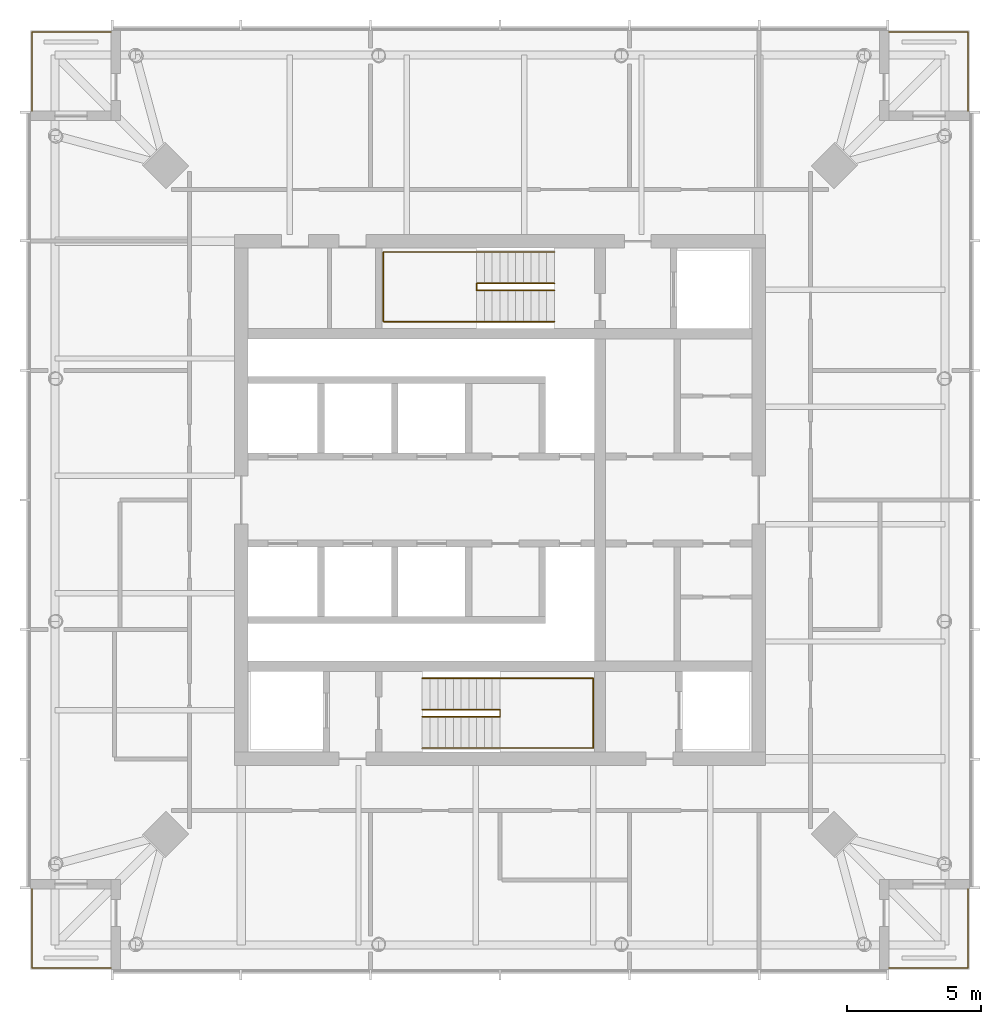
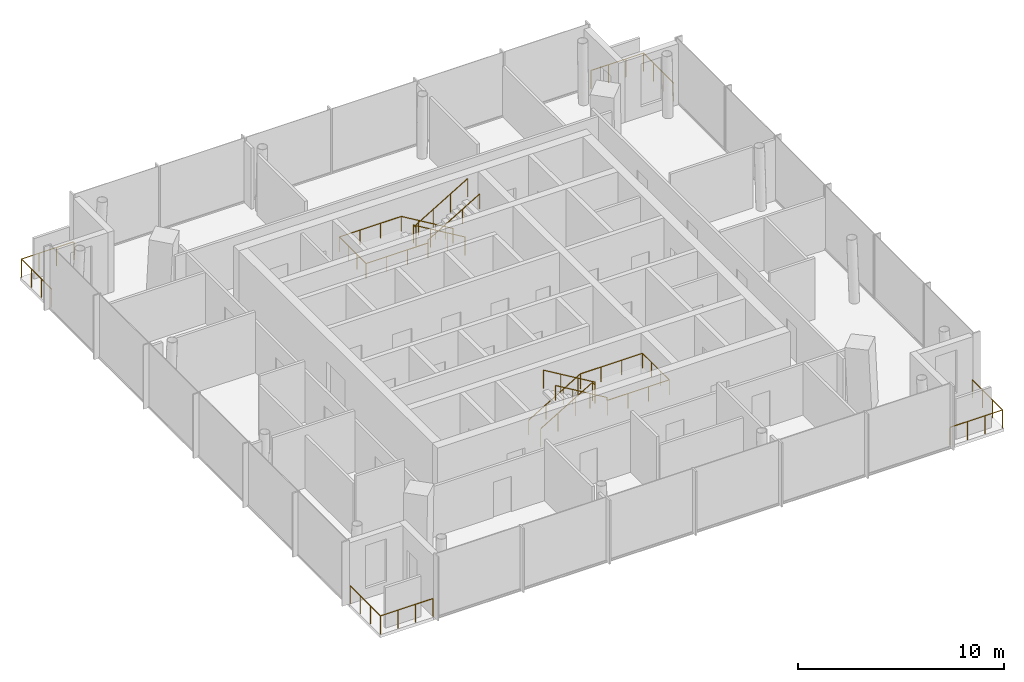
# One storey, part 7 of 7: 8 railings.
"""IFC4 building model written with IfcOpenShell, lengths in metres."""

from ifc_helpers import new_model, si_unit, direction, frame, origin, origin_2d, place, context, subcontext, project, spatial, circle, extrude, material, type_object, element, save


model = new_model("IFC4")

# Units and contexts
model_context = context("Model", 3, precision=1e-05, world=origin(), true_north=direction((0.0, 1.0)))
body_context = subcontext(model_context, "Body", "Model", "MODEL_VIEW")
ifc_project = project(units=[si_unit("LENGTHUNIT", "METRE"), si_unit("AREAUNIT", "SQUARE_METRE"), si_unit("VOLUMEUNIT", "CUBIC_METRE"), si_unit("PLANEANGLEUNIT", "RADIAN"), si_unit("MASSUNIT", "GRAM", prefix="KILO")], contexts=[model_context])

# Site, building, storey
site_placement = place(None, origin())
site = spatial("IfcSite", under=ifc_project, at=site_placement, CompositionType="ELEMENT")
building_placement = place(site_placement, origin())
building = spatial("IfcBuilding", under=site, at=building_placement, Name="Ostroluk Exchange", CompositionType="ELEMENT")
storey_placement = place(building_placement, frame((0.0, 0.0, 252.800048828125)))
storey = spatial("IfcBuildingStorey", under=building, at=storey_placement, Name="L65", CompositionType="ELEMENT", Elevation=252.800048828125)

# Railings
ifc_material_1 = material(Name="Stainless steel", Category="steel")
railing_type_1 = type_object("IfcRailingType", Name="Guard 1100 stainless steel", PredefinedType="GUARDRAIL", material=ifc_material_1)
railing_1_placement = place(storey_placement, frame((59.5, 28.550048828125, 0.0)))
element("IfcRailing", 1, at=railing_1_placement, inside=storey, type_object=railing_type_1, Name="Office tower SE balcony guard L65", PredefinedType="GUARDRAIL", context=body_context, shape_type="SweptSolid", body=[
    extrude(circle(Radius=0.02392578125, at=origin_2d()), frame((0.0, 0.0, 1.076171875), z_axis=(1.0, 0.0, 0.0), x_axis=(0.0, 1.0, 0.0)), (0.0, 0.0, 1.0), 2.949951171875),
    extrude(circle(Radius=0.02392578125, at=origin_2d()), frame((2.949951171875, 0.0, 1.076171875), z_axis=(0.0, 1.0, 0.0), x_axis=(-1.0, 0.0, 0.0)), (0.0, 0.0, 1.0), 2.949951171875),
    extrude(circle(Radius=0.02099609375, at=origin_2d()), origin(), (0.0, 0.0, 1.0), 1.052001953125),
    extrude(circle(Radius=0.02099609375, at=origin_2d()), frame((0.9833984375, 0.0, 0.0)), (0.0, 0.0, 1.0), 1.052001953125),
    extrude(circle(Radius=0.02099609375, at=origin_2d()), frame((1.966552734375, 0.0, 0.0)), (0.0, 0.0, 1.0), 1.052001953125),
    extrude(circle(Radius=0.02099609375, at=origin_2d()), frame((2.949951171875, 0.0, 0.0)), (0.0, 0.0, 1.0), 1.052001953125),
    extrude(circle(Radius=0.02099609375, at=origin_2d()), frame((2.949951171875, 0.9833984375, 0.0)), (0.0, 0.0, 1.0), 1.052001953125),
    extrude(circle(Radius=0.02099609375, at=origin_2d()), frame((2.949951171875, 1.966552734375, 0.0)), (0.0, 0.0, 1.0), 1.052001953125),
    extrude(circle(Radius=0.02099609375, at=origin_2d()), frame((2.949951171875, 2.949951171875, 0.0)), (0.0, 0.0, 1.0), 1.052001953125),
])
railing_2_placement = place(storey_placement, frame((59.5, 63.449951171875, 0.0)))
element("IfcRailing", 2, at=railing_2_placement, inside=storey, type_object=railing_type_1, Name="Office tower NE balcony guard L65", PredefinedType="GUARDRAIL", context=body_context, shape_type="SweptSolid", body=[
    extrude(circle(Radius=0.02392578125, at=origin_2d()), frame((0.0, 0.0, 1.076171875), z_axis=(1.0, 0.0, 0.0), x_axis=(0.0, 1.0, 0.0)), (0.0, 0.0, 1.0), 2.949951171875),
    extrude(circle(Radius=0.02392578125, at=origin_2d()), frame((2.949951171875, 0.0, 1.076171875), z_axis=(0.0, -1.0, 0.0), x_axis=(1.0, 0.0, 0.0)), (0.0, 0.0, 1.0), 2.949951171875),
    extrude(circle(Radius=0.02099609375, at=origin_2d()), origin(), (0.0, 0.0, 1.0), 1.052001953125),
    extrude(circle(Radius=0.02099609375, at=origin_2d()), frame((0.9833984375, 0.0, 0.0)), (0.0, 0.0, 1.0), 1.052001953125),
    extrude(circle(Radius=0.02099609375, at=origin_2d()), frame((1.966552734375, 0.0, 0.0)), (0.0, 0.0, 1.0), 1.052001953125),
    extrude(circle(Radius=0.02099609375, at=origin_2d()), frame((2.949951171875, 0.0, 0.0)), (0.0, 0.0, 1.0), 1.052001953125),
    extrude(circle(Radius=0.02099609375, at=origin_2d()), frame((2.949951171875, -0.9833984375, 0.0)), (0.0, 0.0, 1.0), 1.052001953125),
    extrude(circle(Radius=0.02099609375, at=origin_2d()), frame((2.949951171875, -1.966552734375, 0.0)), (0.0, 0.0, 1.0), 1.052001953125),
    extrude(circle(Radius=0.02099609375, at=origin_2d()), frame((2.949951171875, -2.949951171875, 0.0)), (0.0, 0.0, 1.0), 1.052001953125),
])
railing_3_placement = place(storey_placement, frame((30.5, 63.449951171875, 0.0)))
element("IfcRailing", 3, at=railing_3_placement, inside=storey, type_object=railing_type_1, Name="Office tower NW balcony guard L65", PredefinedType="GUARDRAIL", context=body_context, shape_type="SweptSolid", body=[
    extrude(circle(Radius=0.02392578125, at=origin_2d()), frame((0.0, 0.0, 1.076171875), z_axis=(-1.0, 0.0, 0.0), x_axis=(0.0, -1.0, 0.0)), (0.0, 0.0, 1.0), 2.949951171875),
    extrude(circle(Radius=0.02392578125, at=origin_2d()), frame((-2.949951171875, 0.0, 1.076171875), z_axis=(0.0, -1.0, 0.0), x_axis=(1.0, 0.0, 0.0)), (0.0, 0.0, 1.0), 2.949951171875),
    extrude(circle(Radius=0.02099609375, at=origin_2d()), origin(), (0.0, 0.0, 1.0), 1.052001953125),
    extrude(circle(Radius=0.02099609375, at=origin_2d()), frame((-0.9833984375, 0.0, 0.0)), (0.0, 0.0, 1.0), 1.052001953125),
    extrude(circle(Radius=0.02099609375, at=origin_2d()), frame((-1.966552734375, 0.0, 0.0)), (0.0, 0.0, 1.0), 1.052001953125),
    extrude(circle(Radius=0.02099609375, at=origin_2d()), frame((-2.949951171875, 0.0, 0.0)), (0.0, 0.0, 1.0), 1.052001953125),
    extrude(circle(Radius=0.02099609375, at=origin_2d()), frame((-2.949951171875, -0.9833984375, 0.0)), (0.0, 0.0, 1.0), 1.052001953125),
    extrude(circle(Radius=0.02099609375, at=origin_2d()), frame((-2.949951171875, -1.966552734375, 0.0)), (0.0, 0.0, 1.0), 1.052001953125),
    extrude(circle(Radius=0.02099609375, at=origin_2d()), frame((-2.949951171875, -2.949951171875, 0.0)), (0.0, 0.0, 1.0), 1.052001953125),
])
railing_4_placement = place(storey_placement, frame((30.5, 28.550048828125, 0.0)))
element("IfcRailing", 4, at=railing_4_placement, inside=storey, type_object=railing_type_1, Name="Office tower SW balcony guard L65", PredefinedType="GUARDRAIL", context=body_context, shape_type="SweptSolid", body=[
    extrude(circle(Radius=0.02392578125, at=origin_2d()), frame((0.0, 0.0, 1.076171875), z_axis=(-1.0, 0.0, 0.0), x_axis=(0.0, -1.0, 0.0)), (0.0, 0.0, 1.0), 2.949951171875),
    extrude(circle(Radius=0.02392578125, at=origin_2d()), frame((-2.949951171875, 0.0, 1.076171875), z_axis=(0.0, 1.0, 0.0), x_axis=(-1.0, 0.0, 0.0)), (0.0, 0.0, 1.0), 2.949951171875),
    extrude(circle(Radius=0.02099609375, at=origin_2d()), origin(), (0.0, 0.0, 1.0), 1.052001953125),
    extrude(circle(Radius=0.02099609375, at=origin_2d()), frame((-0.9833984375, 0.0, 0.0)), (0.0, 0.0, 1.0), 1.052001953125),
    extrude(circle(Radius=0.02099609375, at=origin_2d()), frame((-1.966552734375, 0.0, 0.0)), (0.0, 0.0, 1.0), 1.052001953125),
    extrude(circle(Radius=0.02099609375, at=origin_2d()), frame((-2.949951171875, 0.0, 0.0)), (0.0, 0.0, 1.0), 1.052001953125),
    extrude(circle(Radius=0.02099609375, at=origin_2d()), frame((-2.949951171875, 0.9833984375, 0.0)), (0.0, 0.0, 1.0), 1.052001953125),
    extrude(circle(Radius=0.02099609375, at=origin_2d()), frame((-2.949951171875, 1.966552734375, 0.0)), (0.0, 0.0, 1.0), 1.052001953125),
    extrude(circle(Radius=0.02099609375, at=origin_2d()), frame((-2.949951171875, 2.949951171875, 0.0)), (0.0, 0.0, 1.0), 1.052001953125),
])
ifc_material_2 = material(Name="Steel S355", Category="steel")
railing_type_2 = type_object("IfcRailingType", Name="Stair guard 1100", PredefinedType="GUARDRAIL", material=ifc_material_2)
railing_5_placement = place(storey_placement, frame((42.10009765625, 38.179931640625, 0.172607421875)))
element("IfcRailing", 5, at=railing_5_placement, inside=storey, type_object=railing_type_2, Name="Stair T1-S1 guard L65", PredefinedType="GUARDRAIL", context=body_context, shape_type="SweptSolid", body=[
    extrude(circle(Radius=0.02392578125, at=origin_2d()), frame((0.0, 0.0, 1.076171875), z_axis=(0.859141464434, 0.0, 0.511738159696), x_axis=(0.0, 1.0, 0.0)), (0.0, 0.0, 1.0), 3.375244140625),
    extrude(circle(Radius=0.02392578125, at=origin_2d()), frame((2.89990234375, 0.0, 2.80322265625), z_axis=(0.0, -1.0, 0.0), x_axis=(1.0, 0.0, 0.0)), (0.0, 0.0, 1.0), 0.260009765625),
    extrude(circle(Radius=0.02392578125, at=origin_2d()), frame((2.89990234375, -0.260009765625, 2.80322265625), z_axis=(0.0, 0.0, 1.0), x_axis=(1.0, 0.0, 0.0)), (0.0, 0.0, 1.0), 0.1728515625),
    extrude(circle(Radius=0.02392578125, at=origin_2d()), frame((2.89990234375, -0.260009765625, 2.97607421875), z_axis=(-0.859141464434, 0.0, 0.511738159696), x_axis=(0.0, -1.0, 0.0)), (0.0, 0.0, 1.0), 3.375244140625),
    extrude(circle(Radius=0.02099609375, at=origin_2d()), origin(), (0.0, 0.0, 1.0), 1.052001953125),
    extrude(circle(Radius=0.02099609375, at=origin_2d()), frame((0.966552734375, 0.0, 0.57568359375)), (0.0, 0.0, 1.0), 1.052001953125),
    extrude(circle(Radius=0.02099609375, at=origin_2d()), frame((1.933349609375, 0.0, 1.151611328125)), (0.0, 0.0, 1.0), 1.052001953125),
    extrude(circle(Radius=0.02099609375, at=origin_2d()), frame((2.89990234375, 0.0, 1.727294921875)), (0.0, 0.0, 1.0), 1.052001953125),
    extrude(circle(Radius=0.02099609375, at=origin_2d()), frame((2.89990234375, -0.260009765625, 1.727294921875)), (0.0, 0.0, 1.0), 1.052001953125),
    extrude(circle(Radius=0.02099609375, at=origin_2d()), frame((2.89990234375, -0.260009765625, 1.900146484375)), (0.0, 0.0, 1.0), 1.052001953125),
    extrude(circle(Radius=0.02099609375, at=origin_2d()), frame((1.933349609375, -0.260009765625, 2.475830078125)), (0.0, 0.0, 1.0), 1.052001953125),
    extrude(circle(Radius=0.02099609375, at=origin_2d()), frame((0.966552734375, -0.260009765625, 3.0517578125)), (0.0, 0.0, 1.0), 1.052001953125),
    extrude(circle(Radius=0.02099609375, at=origin_2d()), frame((0.0, -0.260009765625, 3.62744140625)), (0.0, 0.0, 1.0), 1.052001953125),
])
railing_6_placement = place(storey_placement, frame((47.030029296875, 54.080078125, 0.172607421875)))
element("IfcRailing", 6, at=railing_6_placement, inside=storey, type_object=railing_type_2, Name="Stair T1-S2 guard L65", PredefinedType="GUARDRAIL", context=body_context, shape_type="SweptSolid", body=[
    extrude(circle(Radius=0.02392578125, at=origin_2d()), frame((0.0, 0.0, 1.076171875), z_axis=(-0.859160404282, 0.0, 0.51170636083), x_axis=(0.0, -1.0, 0.0)), (0.0, 0.0, 1.0), 3.37548828125),
    extrude(circle(Radius=0.02392578125, at=origin_2d()), frame((-2.900146484375, 0.0, 2.80322265625), z_axis=(0.0, -1.0, 0.0), x_axis=(1.0, 0.0, 0.0)), (0.0, 0.0, 1.0), 0.260009765625),
    extrude(circle(Radius=0.02392578125, at=origin_2d()), frame((-2.900146484375, -0.260009765625, 2.80322265625), z_axis=(0.0, 0.0, 1.0), x_axis=(1.0, 0.0, 0.0)), (0.0, 0.0, 1.0), 0.1728515625),
    extrude(circle(Radius=0.02392578125, at=origin_2d()), frame((-2.900146484375, -0.260009765625, 2.97607421875), z_axis=(0.859160404282, 0.0, 0.51170636083), x_axis=(0.0, 1.0, 0.0)), (0.0, 0.0, 1.0), 3.37548828125),
    extrude(circle(Radius=0.02099609375, at=origin_2d()), origin(), (0.0, 0.0, 1.0), 1.052001953125),
    extrude(circle(Radius=0.02099609375, at=origin_2d()), frame((-0.966796875, 0.0, 0.57568359375)), (0.0, 0.0, 1.0), 1.052001953125),
    extrude(circle(Radius=0.02099609375, at=origin_2d()), frame((-1.933349609375, 0.0, 1.151611328125)), (0.0, 0.0, 1.0), 1.052001953125),
    extrude(circle(Radius=0.02099609375, at=origin_2d()), frame((-2.900146484375, 0.0, 1.727294921875)), (0.0, 0.0, 1.0), 1.052001953125),
    extrude(circle(Radius=0.02099609375, at=origin_2d()), frame((-2.900146484375, -0.260009765625, 1.727294921875)), (0.0, 0.0, 1.0), 1.052001953125),
    extrude(circle(Radius=0.02099609375, at=origin_2d()), frame((-2.900146484375, -0.260009765625, 1.900146484375)), (0.0, 0.0, 1.0), 1.052001953125),
    extrude(circle(Radius=0.02099609375, at=origin_2d()), frame((-1.933349609375, -0.260009765625, 2.475830078125)), (0.0, 0.0, 1.0), 1.052001953125),
    extrude(circle(Radius=0.02099609375, at=origin_2d()), frame((-0.966796875, -0.260009765625, 3.0517578125)), (0.0, 0.0, 1.0), 1.052001953125),
    extrude(circle(Radius=0.02099609375, at=origin_2d()), frame((0.0, -0.260009765625, 3.62744140625)), (0.0, 0.0, 1.0), 1.052001953125),
])
ifc_material_3 = material(Name="Stainless steel", Category="steel")
railing_type_3 = type_object("IfcRailingType", Name="Stair handrail 900", PredefinedType="HANDRAIL", material=ifc_material_3)
railing_7_placement = place(storey_placement, frame((42.10009765625, 39.35009765625, 0.172607421875)))
element("IfcRailing", 7, at=railing_7_placement, inside=storey, type_object=railing_type_3, Name="Stair T1-S1 handrail L65", PredefinedType="HANDRAIL", context=body_context, shape_type="SweptSolid", body=[
    extrude(circle(Radius=0.02392578125, at=origin_2d()), frame((0.0, 0.0, 0.8759765625), z_axis=(0.859141464434, 0.0, 0.511738159696), x_axis=(0.0, 1.0, 0.0)), (0.0, 0.0, 1.0), 3.375244140625),
    extrude(circle(Radius=0.02392578125, at=origin_2d()), frame((2.89990234375, 0.0, 2.60302734375), z_axis=(1.0, 0.0, 0.0), x_axis=(0.0, 1.0, 0.0)), (0.0, 0.0, 1.0), 3.47998046875),
    extrude(circle(Radius=0.02392578125, at=origin_2d()), frame((6.3798828125, 0.0, 2.60302734375), z_axis=(0.0, -1.0, 0.0), x_axis=(1.0, 0.0, 0.0)), (0.0, 0.0, 1.0), 2.60009765625),
    extrude(circle(Radius=0.02392578125, at=origin_2d()), frame((6.3798828125, -2.60009765625, 2.60302734375), z_axis=(-1.0, 0.0, 0.0), x_axis=(0.0, -1.0, 0.0)), (0.0, 0.0, 1.0), 3.47998046875),
    extrude(circle(Radius=0.02392578125, at=origin_2d()), frame((2.89990234375, -2.60009765625, 2.60302734375), z_axis=(0.0, 0.0, 1.0), x_axis=(1.0, 0.0, 0.0)), (0.0, 0.0, 1.0), 0.1728515625),
    extrude(circle(Radius=0.02392578125, at=origin_2d()), frame((2.89990234375, -2.60009765625, 2.77587890625), z_axis=(-0.859141464434, 0.0, 0.511738159696), x_axis=(0.0, -1.0, 0.0)), (0.0, 0.0, 1.0), 3.375244140625),
    extrude(circle(Radius=0.02099609375, at=origin_2d()), origin(), (0.0, 0.0, 1.0), 0.851806640625),
    extrude(circle(Radius=0.02099609375, at=origin_2d()), frame((0.966552734375, 0.0, 0.57568359375)), (0.0, 0.0, 1.0), 0.851806640625),
    extrude(circle(Radius=0.02099609375, at=origin_2d()), frame((1.933349609375, 0.0, 1.151611328125)), (0.0, 0.0, 1.0), 0.851806640625),
    extrude(circle(Radius=0.02099609375, at=origin_2d()), frame((2.89990234375, 0.0, 1.727294921875)), (0.0, 0.0, 1.0), 0.851806640625),
    extrude(circle(Radius=0.02099609375, at=origin_2d()), frame((4.059814453125, 0.0, 1.727294921875)), (0.0, 0.0, 1.0), 0.851806640625),
    extrude(circle(Radius=0.02099609375, at=origin_2d()), frame((5.219970703125, 0.0, 1.727294921875)), (0.0, 0.0, 1.0), 0.851806640625),
    extrude(circle(Radius=0.02099609375, at=origin_2d()), frame((6.3798828125, 0.0, 1.727294921875)), (0.0, 0.0, 1.0), 0.851806640625),
    extrude(circle(Radius=0.02099609375, at=origin_2d()), frame((6.3798828125, -0.86669921875, 1.727294921875)), (0.0, 0.0, 1.0), 0.851806640625),
    extrude(circle(Radius=0.02099609375, at=origin_2d()), frame((6.3798828125, -1.7333984375, 1.727294921875)), (0.0, 0.0, 1.0), 0.851806640625),
    extrude(circle(Radius=0.02099609375, at=origin_2d()), frame((6.3798828125, -2.60009765625, 1.727294921875)), (0.0, 0.0, 1.0), 0.851806640625),
    extrude(circle(Radius=0.02099609375, at=origin_2d()), frame((5.219970703125, -2.60009765625, 1.727294921875)), (0.0, 0.0, 1.0), 0.851806640625),
    extrude(circle(Radius=0.02099609375, at=origin_2d()), frame((4.059814453125, -2.60009765625, 1.727294921875)), (0.0, 0.0, 1.0), 0.851806640625),
    extrude(circle(Radius=0.02099609375, at=origin_2d()), frame((2.89990234375, -2.60009765625, 1.727294921875)), (0.0, 0.0, 1.0), 0.851806640625),
    extrude(circle(Radius=0.02099609375, at=origin_2d()), frame((2.89990234375, -2.60009765625, 1.900146484375)), (0.0, 0.0, 1.0), 0.851806640625),
    extrude(circle(Radius=0.02099609375, at=origin_2d()), frame((1.933349609375, -2.60009765625, 2.475830078125)), (0.0, 0.0, 1.0), 0.851806640625),
    extrude(circle(Radius=0.02099609375, at=origin_2d()), frame((0.966552734375, -2.60009765625, 3.0517578125)), (0.0, 0.0, 1.0), 0.851806640625),
    extrude(circle(Radius=0.02099609375, at=origin_2d()), frame((0.0, -2.60009765625, 3.62744140625)), (0.0, 0.0, 1.0), 0.851806640625),
])
railing_8_placement = place(storey_placement, frame((47.030029296875, 55.25, 0.172607421875)))
element("IfcRailing", 8, at=railing_8_placement, inside=storey, type_object=railing_type_3, Name="Stair T1-S2 handrail L65", PredefinedType="HANDRAIL", context=body_context, shape_type="SweptSolid", body=[
    extrude(circle(Radius=0.02392578125, at=origin_2d()), frame((0.0, 0.0, 0.8759765625), z_axis=(-0.859160404282, 0.0, 0.51170636083), x_axis=(0.0, -1.0, 0.0)), (0.0, 0.0, 1.0), 3.37548828125),
    extrude(circle(Radius=0.02392578125, at=origin_2d()), frame((-2.900146484375, 0.0, 2.60302734375), z_axis=(-1.0, 0.0, 0.0), x_axis=(0.0, -1.0, 0.0)), (0.0, 0.0, 1.0), 3.47998046875),
    extrude(circle(Radius=0.02392578125, at=origin_2d()), frame((-6.380126953125, 0.0, 2.60302734375), z_axis=(0.0, -1.0, 0.0), x_axis=(1.0, 0.0, 0.0)), (0.0, 0.0, 1.0), 2.60009765625),
    extrude(circle(Radius=0.02392578125, at=origin_2d()), frame((-6.380126953125, -2.60009765625, 2.60302734375), z_axis=(1.0, 0.0, 0.0), x_axis=(0.0, 1.0, 0.0)), (0.0, 0.0, 1.0), 3.47998046875),
    extrude(circle(Radius=0.02392578125, at=origin_2d()), frame((-2.900146484375, -2.60009765625, 2.60302734375), z_axis=(0.0, 0.0, 1.0), x_axis=(1.0, 0.0, 0.0)), (0.0, 0.0, 1.0), 0.1728515625),
    extrude(circle(Radius=0.02392578125, at=origin_2d()), frame((-2.900146484375, -2.60009765625, 2.77587890625), z_axis=(0.859160404282, 0.0, 0.51170636083), x_axis=(0.0, 1.0, 0.0)), (0.0, 0.0, 1.0), 3.37548828125),
    extrude(circle(Radius=0.02099609375, at=origin_2d()), origin(), (0.0, 0.0, 1.0), 0.851806640625),
    extrude(circle(Radius=0.02099609375, at=origin_2d()), frame((-0.966796875, 0.0, 0.57568359375)), (0.0, 0.0, 1.0), 0.851806640625),
    extrude(circle(Radius=0.02099609375, at=origin_2d()), frame((-1.933349609375, 0.0, 1.151611328125)), (0.0, 0.0, 1.0), 0.851806640625),
    extrude(circle(Radius=0.02099609375, at=origin_2d()), frame((-2.900146484375, 0.0, 1.727294921875)), (0.0, 0.0, 1.0), 0.851806640625),
    extrude(circle(Radius=0.02099609375, at=origin_2d()), frame((-4.06005859375, 0.0, 1.727294921875)), (0.0, 0.0, 1.0), 0.851806640625),
    extrude(circle(Radius=0.02099609375, at=origin_2d()), frame((-5.22021484375, 0.0, 1.727294921875)), (0.0, 0.0, 1.0), 0.851806640625),
    extrude(circle(Radius=0.02099609375, at=origin_2d()), frame((-6.380126953125, 0.0, 1.727294921875)), (0.0, 0.0, 1.0), 0.851806640625),
    extrude(circle(Radius=0.02099609375, at=origin_2d()), frame((-6.380126953125, -0.86669921875, 1.727294921875)), (0.0, 0.0, 1.0), 0.851806640625),
    extrude(circle(Radius=0.02099609375, at=origin_2d()), frame((-6.380126953125, -1.7333984375, 1.727294921875)), (0.0, 0.0, 1.0), 0.851806640625),
    extrude(circle(Radius=0.02099609375, at=origin_2d()), frame((-6.380126953125, -2.60009765625, 1.727294921875)), (0.0, 0.0, 1.0), 0.851806640625),
    extrude(circle(Radius=0.02099609375, at=origin_2d()), frame((-5.22021484375, -2.60009765625, 1.727294921875)), (0.0, 0.0, 1.0), 0.851806640625),
    extrude(circle(Radius=0.02099609375, at=origin_2d()), frame((-4.06005859375, -2.60009765625, 1.727294921875)), (0.0, 0.0, 1.0), 0.851806640625),
    extrude(circle(Radius=0.02099609375, at=origin_2d()), frame((-2.900146484375, -2.60009765625, 1.727294921875)), (0.0, 0.0, 1.0), 0.851806640625),
    extrude(circle(Radius=0.02099609375, at=origin_2d()), frame((-2.900146484375, -2.60009765625, 1.900146484375)), (0.0, 0.0, 1.0), 0.851806640625),
    extrude(circle(Radius=0.02099609375, at=origin_2d()), frame((-1.933349609375, -2.60009765625, 2.475830078125)), (0.0, 0.0, 1.0), 0.851806640625),
    extrude(circle(Radius=0.02099609375, at=origin_2d()), frame((-0.966796875, -2.60009765625, 3.0517578125)), (0.0, 0.0, 1.0), 0.851806640625),
    extrude(circle(Radius=0.02099609375, at=origin_2d()), frame((0.0, -2.60009765625, 3.62744140625)), (0.0, 0.0, 1.0), 0.851806640625),
])

save(model, "model.ifc")
